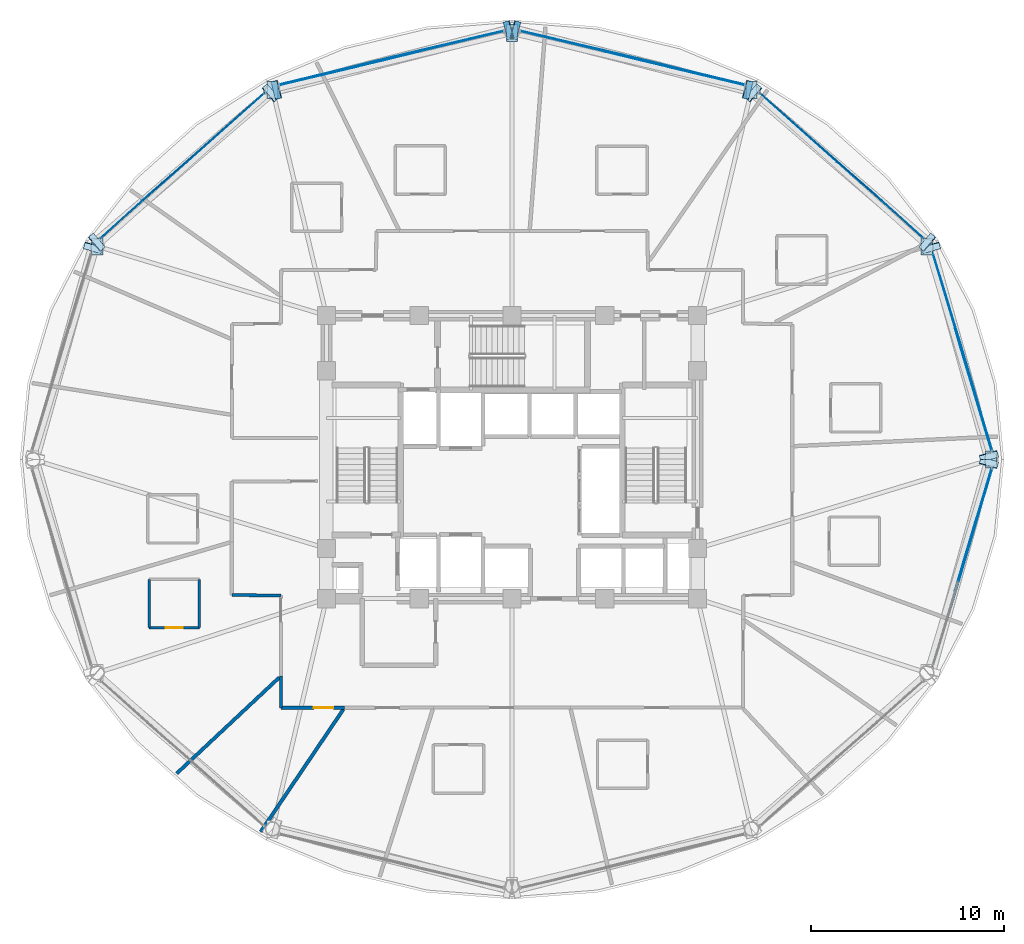
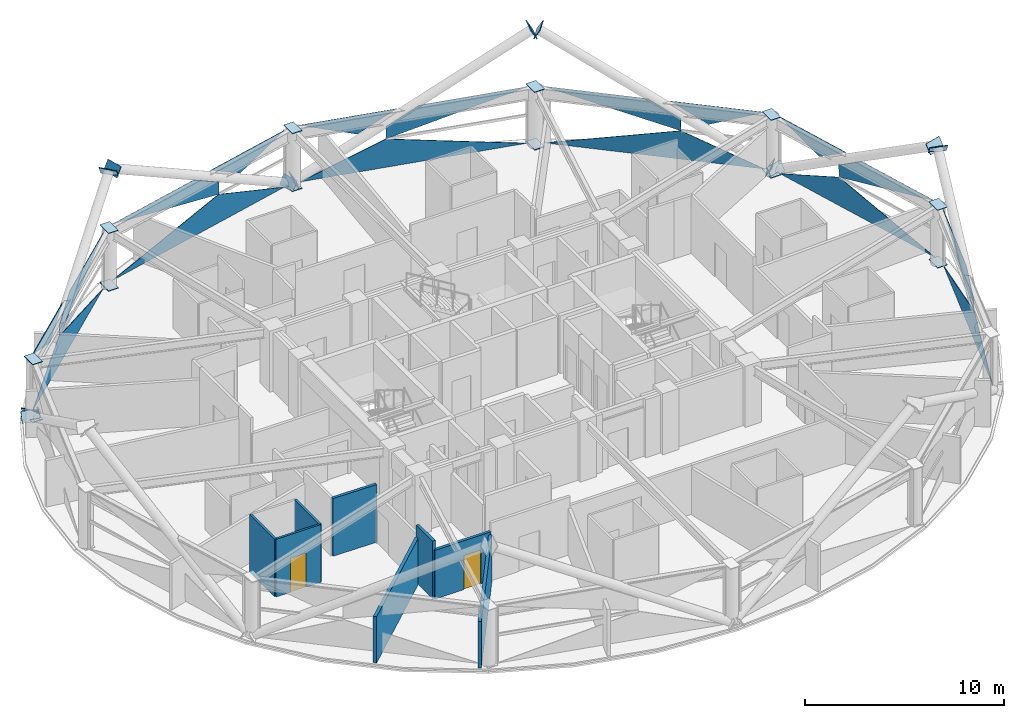
# One storey, part 21 of 29: 41 plates, 8 walls, 2 doors, 2 openings, 6 elements without a shape of their own.
"""IFC4 building model written with IfcOpenShell, lengths in metres."""

from ifc_helpers import new_model, si_unit, direction, frame, frame_2d, origin, place, context, subcontext, project, spatial, polyline, rectangle, outline, extrude, material, layer, layer_set, type_object, element, fill, aggregate, save


model = new_model("IFC4")

# Units and contexts
model_context = context("Model", 3, precision=1e-05, world=origin(), true_north=direction((0.0, 1.0)))
body_context = subcontext(model_context, "Body", "Model", "MODEL_VIEW")
ifc_project = project(units=[si_unit("LENGTHUNIT", "METRE"), si_unit("AREAUNIT", "SQUARE_METRE"), si_unit("VOLUMEUNIT", "CUBIC_METRE"), si_unit("PLANEANGLEUNIT", "RADIAN"), si_unit("MASSUNIT", "GRAM", prefix="KILO")], contexts=[model_context])

# Site, building, storey
site_placement = place(None, origin())
site = spatial("IfcSite", under=ifc_project, at=site_placement, CompositionType="ELEMENT")
building_placement = place(site_placement, origin())
building = spatial("IfcBuilding", under=site, at=building_placement, Name="Vantalir Tower", CompositionType="ELEMENT")
storey_placement = place(building_placement, frame((0.0, 0.0, 157.199951171875)))
storey = spatial("IfcBuildingStorey", under=building, at=storey_placement, Name="L39", CompositionType="ELEMENT", Elevation=157.199951171875)

# Curtain wall, plates
ifc_material_1 = material(Name="Champagne-silver PVDF aluminium and double-silver Low-E glass", Category="aluminium")
ifc_layer_1 = layer(ifc_material_1, 0.199951171875)
ifc_layer_set_1 = layer_set([ifc_layer_1], Name="Champagne-silver PVDF aluminium and double-silver Low-E glass")
curtain_wall_type = type_object("IfcCurtainWallType", Name="CW-DIAMOND-Z2", PredefinedType="USERDEFINED", material=ifc_layer_set_1)
curtain_wall_1_placement = place(storey_placement, origin())
curtain_wall_1 = element("IfcCurtainWall", 1, at=curtain_wall_1_placement, inside=storey, type_object=curtain_wall_type, Name="L39 Quilted Pyramid-Diamond Curtain Wall S01", ObjectType="UNITISED CURTAIN WALL", PredefinedType="USERDEFINED")
ifc_material_2 = material(Name="Double-silver Low-E laminated glass IGU", Category="glass")
ifc_layer_2 = layer(ifc_material_2, 0.028076171875)
ifc_layer_set_2 = layer_set([ifc_layer_2], Name="Double-silver Low-E laminated glass IGU")
plate_type_1 = type_object("IfcPlateType", Name="CWP-IGU-28", PredefinedType="CURTAIN_PANEL", material=ifc_layer_set_2)
plate_1_placement = place(storey_placement, frame((56.342041015625, 25.435546875, 0.046630859375), z_axis=(-0.957564071006, -0.287889450564, 0.013809930182), x_axis=(-0.28791660525, 0.957655484974, 2.2792638e-05)))
plate_1 = element("IfcPlate", 2, at=plate_1_placement, type_object=plate_type_1, Name="CW-L39-S01 Pyramid Diamond Facet 1L", PredefinedType="CURTAIN_PANEL", context=body_context, shape_type="SweptSolid", body=[
    extrude(outline(polyline([(0.0, 0.0), (10.711380721923996, -5.44811591673966e-18), (6.6357327467087055, -1.7263317397813793), (0.0, 0.0)])), origin(), (0.0, 0.0, -1.0), 0.028076171875),
])
plate_2_placement = place(storey_placement, frame((56.342041015625, 25.435546875, 3.5234375), z_axis=(0.957557941094, 0.287905765123, 0.013894598119), x_axis=(-0.287933561793, 0.957650387142, 8.4363e-08)))
plate_2 = element("IfcPlate", 3, at=plate_2_placement, type_object=plate_type_1, Name="CW-L39-S01 Pyramid Diamond Facet 2U", PredefinedType="CURTAIN_PANEL", context=body_context, shape_type="SweptSolid", body=[
    extrude(outline(polyline([(0.0, 0.0), (5.073767685221937, 0.0), (6.635535625945805, -0.9685999225643026), (6.635692832277836, -1.726485156677116), (0.0, 0.0)])), origin(), (0.0, 0.0, -1.0), 0.028076171875),
])
plate_3_placement = place(storey_placement, frame((54.6005859375, 31.3388671875, 3.52392578125), z_axis=(0.957560656279, 0.28790112846, 0.013803252424), x_axis=(-0.287927850537, 0.957652102809, -5.357794e-05)))
plate_3 = element("IfcPlate", 4, at=plate_3_placement, type_object=plate_type_1, Name="CW-L39-S01 Pyramid Diamond Facet 2U Infill Light", PredefinedType="CURTAIN_PANEL", context=body_context, shape_type="SweptSolid", body=[
    extrude(outline(polyline([(0.0, 0.0), (4.556737794915111, 5.421010862427522e-19), (1.8494566686042444, -1.1467386763287737), (0.0, 0.0)])), origin(), (0.0, 0.0, -1.0), 0.028076171875),
])
aggregate(curtain_wall_1, [plate_1, plate_2, plate_3])

curtain_wall_2_placement = place(storey_placement, origin())
curtain_wall_2 = element("IfcCurtainWall", 5, at=curtain_wall_2_placement, inside=storey, type_object=curtain_wall_type, Name="L39 Quilted Pyramid-Diamond Curtain Wall S02", ObjectType="UNITISED CURTAIN WALL", PredefinedType="USERDEFINED")
plate_4_placement = place(storey_placement, frame((52.787353515625, 36.431640625, 0.046630859375), z_axis=(-0.665391830285, -0.746371268071, 0.013551471789), x_axis=(-0.746440004295, 0.665452717723, -2.1539172e-05)))
plate_4 = element("IfcPlate", 6, at=plate_4_placement, type_object=plate_type_1, Name="CW-L39-S02 Pyramid Diamond Facet 1L", PredefinedType="CURTAIN_PANEL", context=body_context, shape_type="SweptSolid", body=[
    extrude(outline(polyline([(0.0, 0.0), (11.334726583109456, 5.908901840045999e-18), (4.3087562118875535, -1.7268138728330658), (0.0, 0.0)])), origin(), (0.0, 0.0, -1.0), 0.028076171875),
])
plate_5_placement = place(storey_placement, frame((48.325439453125, 40.409423828125, 3.5234375), z_axis=(0.66538138075, 0.746380639998, 0.013548372127), x_axis=(-0.746449559657, 0.665441998098, 4.5336994e-05)))
plate_5 = element("IfcPlate", 7, at=plate_5_placement, type_object=plate_type_1, Name="CW-L39-S02 Pyramid Diamond Facet 2U", PredefinedType="CURTAIN_PANEL", context=body_context, shape_type="SweptSolid", body=[
    extrude(outline(polyline([(0.0, 0.0), (5.3571487888631495, 6.288372600415926e-18), (-1.6688630063208416, -1.726645317931161), (-1.6689449745718552, -0.979019363645349), (0.0, 0.0)])), origin(), (0.0, 0.0, -1.0), 0.028076171875),
])
plate_6_placement = place(storey_placement, frame((52.808837890625, 36.45556640625, 3.52392578125), z_axis=(0.665373412358, 0.746387644673, 0.013553818878), x_axis=(-0.746456212067, 0.665434537326, 0.0)))
plate_6 = element("IfcPlate", 8, at=plate_6_placement, type_object=plate_type_1, Name="CW-L39-S02 Pyramid Diamond Facet 2U Infill Light", PredefinedType="CURTAIN_PANEL", context=body_context, shape_type="SweptSolid", body=[
    extrude(outline(polyline([(0.0, 0.0), (4.851373506019208, -6.938893903907228e-18), (2.882328018274949, -1.1551354044042437), (0.0, 0.0)])), origin(), (0.0, 0.0, -1.0), 0.028076171875),
])
aggregate(curtain_wall_2, [plate_4, plate_5, plate_6])

curtain_wall_3_placement = place(storey_placement, origin())
curtain_wall_3 = element("IfcCurtainWall", 9, at=curtain_wall_3_placement, inside=storey, type_object=curtain_wall_type, Name="L39 Quilted Pyramid-Diamond Curtain Wall S03", ObjectType="UNITISED CURTAIN WALL", PredefinedType="USERDEFINED")
plate_7_placement = place(storey_placement, frame((43.54443359375, 44.382568359375, 0.04638671875), z_axis=(-0.232261179641, -0.972555255955, 0.013820945895), x_axis=(-0.972648091392, 0.232283641034, 2.0467322e-05)))
plate_7 = element("IfcPlate", 10, at=plate_7_placement, type_object=plate_type_1, Name="CW-L39-S03 Pyramid Diamond Facet 1L", PredefinedType="CURTAIN_PANEL", context=body_context, shape_type="SweptSolid", body=[
    extrude(outline(polyline([(0.0, 0.0), (11.928312905690158, 1.7889335846010823e-18), (7.389833878033435, -1.7270644900511896), (0.0, 0.0)])), origin(), (0.0, 0.0, -1.0), 0.028076171875),
])
plate_8_placement = place(storey_placement, frame((43.54443359375, 44.382568359375, 3.523681640625), z_axis=(0.232271104003, 0.9725544686, 0.013709115614), x_axis=(-0.972645871427, 0.232292937466, -2.91501e-07)))
plate_8 = element("IfcPlate", 11, at=plate_8_placement, type_object=plate_type_1, Name="CW-L39-S03 Pyramid Diamond Facet 2U", PredefinedType="CURTAIN_PANEL", context=body_context, shape_type="SweptSolid", body=[
    extrude(outline(polyline([(0.0, 0.0), (5.666504898992574, 0.0), (7.389791754880333, -0.9671297468714191), (7.389799262717985, -1.7272125925726811), (0.0, 0.0)])), origin(), (0.0, 0.0, -1.0), 0.028076171875),
])
plate_9_placement = place(storey_placement, frame((36.909423828125, 46.0, 3.52392578125), z_axis=(0.232293337627, 0.972548817098, 0.013733304602), x_axis=(-0.972640543204, 0.232315246413, 0.0)))
plate_9 = element("IfcPlate", 12, at=plate_9_placement, type_object=plate_type_1, Name="CW-L39-S03 Pyramid Diamond Facet 2U Infill Light", PredefinedType="CURTAIN_PANEL", context=body_context, shape_type="SweptSolid", body=[
    extrude(outline(polyline([(0.0, 0.0), (5.098977922422079, 0.0), (2.060552409607671, -1.1561148882629801), (0.0, 0.0)])), origin(), (0.0, 0.0, -1.0), 0.028076171875),
])
aggregate(curtain_wall_3, [plate_7, plate_8, plate_9])

curtain_wall_4_placement = place(storey_placement, origin())
curtain_wall_4 = element("IfcCurtainWall", 13, at=curtain_wall_4_placement, inside=storey, type_object=curtain_wall_type, Name="L39 Quilted Pyramid-Diamond Curtain Wall S04", ObjectType="UNITISED CURTAIN WALL", PredefinedType="USERDEFINED")
plate_10_placement = place(storey_placement, frame((31.0576171875, 47.1533203125, 0.046630859375), z_axis=(0.232260426857, -0.972555934892, 0.013785776098), x_axis=(-0.972648298282, -0.232282774715, -2.046905e-05)))
plate_10 = element("IfcPlate", 14, at=plate_10_placement, type_object=plate_type_1, Name="CW-L39-S04 Pyramid Diamond Facet 1L", PredefinedType="CURTAIN_PANEL", context=body_context, shape_type="SweptSolid", body=[
    extrude(outline(polyline([(0.0, 0.0), (11.927306344169839, 6.830473686658678e-18), (4.538241582968908, -1.7270636544476772), (0.0, 0.0)])), origin(), (0.0, 0.0, -1.0), 0.028076171875),
])
plate_11_placement = place(storey_placement, frame((24.967041015625, 45.69873046875, 3.523681640625), z_axis=(-0.232244656623, 0.972558924471, 0.013840444449), x_axis=(-0.972652088341, -0.232266904759, 5.8723e-08)))
plate_11 = element("IfcPlate", 15, at=plate_11_placement, type_object=plate_type_1, Name="CW-L39-S04 Pyramid Diamond Facet 2U", PredefinedType="CURTAIN_PANEL", context=body_context, shape_type="SweptSolid", body=[
    extrude(outline(polyline([(0.0, 0.0), (5.6654416266090415, 3.469446951953614e-18), (-1.72358749701365, -1.7272161189073585), (-1.7235804482190773, -0.9673773811728261), (0.0, 0.0)])), origin(), (0.0, 0.0, -1.0), 0.028076171875),
])
plate_12_placement = place(storey_placement, frame((31.050048828125, 47.1845703125, 3.52392578125), z_axis=(-0.232293346877, 0.972548855824, 0.01373040538), x_axis=(-0.972640543204, -0.232315246413, 0.0)))
plate_12 = element("IfcPlate", 16, at=plate_12_placement, type_object=plate_type_1, Name="CW-L39-S04 Pyramid Diamond Facet 2U Infill Light", PredefinedType="CURTAIN_PANEL", context=body_context, shape_type="SweptSolid", body=[
    extrude(outline(polyline([(0.0, 0.0), (5.098977922422078, -3.469446951953614e-18), (3.038425512814408, -1.1563590058688482), (0.0, 0.0)])), origin(), (0.0, 0.0, -1.0), 0.028076171875),
])
aggregate(curtain_wall_4, [plate_10, plate_11, plate_12])

curtain_wall_5_placement = place(storey_placement, origin())
curtain_wall_5 = element("IfcCurtainWall", 17, at=curtain_wall_5_placement, inside=storey, type_object=curtain_wall_type, Name="L39 Quilted Pyramid-Diamond Curtain Wall S05", ObjectType="UNITISED CURTAIN WALL", PredefinedType="USERDEFINED")
plate_13_placement = place(storey_placement, frame((18.67431640625, 43.974365234375, 0.04638671875), z_axis=(0.665348598501, -0.746408916491, 0.013600435848), x_axis=(-0.74647815315, -0.665409923586, 2.1537787e-05)))
plate_13 = element("IfcPlate", 18, at=plate_13_placement, type_object=plate_type_1, Name="CW-L39-S05 Pyramid Diamond Facet 1L", PredefinedType="CURTAIN_PANEL", context=body_context, shape_type="SweptSolid", body=[
    extrude(outline(polyline([(0.0, 0.0), (11.335455547054119, -3.2065279251258794e-17), (7.026518435773332, -1.7268150188442766), (0.0, 0.0)])), origin(), (0.0, 0.0, -1.0), 0.028076171875),
])
plate_14_placement = place(storey_placement, frame((18.67431640625, 43.974365234375, 3.523681640625), z_axis=(-0.665353142307, 0.746404543028, 0.013618155906), x_axis=(-0.746474177065, -0.665414382844, -4.5601595e-05)))
plate_14 = element("IfcPlate", 19, at=plate_14_placement, type_object=plate_type_1, Name="CW-L39-S05 Pyramid Diamond Facet 2U", PredefinedType="CURTAIN_PANEL", context=body_context, shape_type="SweptSolid", body=[
    extrude(outline(polyline([(0.0, 0.0), (5.357857970447013, 1.1655173354219173e-17), (7.02645898656793, -0.9787742526239235), (7.026559843202332, -1.7266465206515351), (0.0, 0.0)])), origin(), (0.0, 0.0, -1.0), 0.028076171875),
])
plate_15_placement = place(storey_placement, frame((13.812744140625, 39.68359375, 3.52392578125), z_axis=(-0.665320047508, 0.746434547325, 0.013590472493), x_axis=(-0.746503490458, -0.665381498641, 0.0)))
plate_15 = element("IfcPlate", 20, at=plate_15_placement, type_object=plate_type_1, Name="CW-L39-S05 Pyramid Diamond Facet 2U Infill Light", PredefinedType="CURTAIN_PANEL", context=body_context, shape_type="SweptSolid", body=[
    extrude(outline(polyline([(0.0, 0.0), (4.851393298947279, 6.938893903907228e-18), (1.9688841485402433, -1.1551359791533917), (0.0, 0.0)])), origin(), (0.0, 0.0, -1.0), 0.028076171875),
])
aggregate(curtain_wall_5, [plate_13, plate_14, plate_15])

curtain_wall_6_placement = place(storey_placement, origin())
curtain_wall_6 = element("IfcCurtainWall", 21, at=curtain_wall_6_placement, inside=storey, type_object=curtain_wall_type, Name="L39 Quilted Pyramid-Diamond Curtain Wall S12", ObjectType="UNITISED CURTAIN WALL", PredefinedType="USERDEFINED")
plate_16_placement = place(storey_placement, frame((53.258056640625, 14.3056640625, 0.046875), z_axis=(-0.957570200047, 0.287870738047, 0.013774983065), x_axis=(0.287897752934, 0.957661152671, -2.2791146e-05)))
plate_16 = element("IfcPlate", 22, at=plate_16_placement, type_object=plate_type_1, Name="CW-L39-S12 Pyramid Diamond Facet 1L", PredefinedType="CURTAIN_PANEL", context=body_context, shape_type="SweptSolid", body=[
    extrude(outline(polyline([(0.0, 0.0), (10.712082131825547, -9.595189226496714e-18), (4.076115115665571, -1.7263309120844164), (0.0, 0.0)])), origin(), (0.0, 0.0, -1.0), 0.028076171875),
])
plate_17_placement = place(storey_placement, frame((54.881103515625, 19.705078125, 3.5234375), z_axis=(0.957565262051, -0.287882479701, 0.013872519374), x_axis=(0.287910187794, 0.957657414614, -2.30641e-07)))
plate_17 = element("IfcPlate", 23, at=plate_17_placement, type_object=plate_type_1, Name="CW-L39-S12 Pyramid Diamond Facet 2U", PredefinedType="CURTAIN_PANEL", context=body_context, shape_type="SweptSolid", body=[
    extrude(outline(polyline([(0.0, 0.0), (5.0740014860384335, 0.0), (-1.5619254795772641, -1.7264848558499808), (-1.562001930903838, -0.9686005964332071), (0.0, 0.0)])), origin(), (0.0, 0.0, -1.0), 0.028076171875),
])
aggregate(curtain_wall_6, [plate_16, plate_17])

# Plates
ifc_material_3 = material(Name="Steel S460", Category="steel")
ifc_layer_3 = layer(ifc_material_3, 0.0400390625)
ifc_layer_set_3 = layer_set([ifc_layer_3], Name="Steel S460")
plate_type_2 = type_object("IfcPlateType", Name="PLT-KN-Z1", PredefinedType="USERDEFINED", material=ifc_layer_set_3)
plate_18_placement = place(storey_placement, frame((53.168212890625, 36.7197265625, -0.072021484375), z_axis=(-0.654413072977, 0.56197057588, 0.50589781751), x_axis=(-0.651489527537, -0.758657627333, 0.0)))
element("IfcPlate", 24, at=plate_18_placement, inside=storey, type_object=plate_type_2, Name="Node Cap Plate MEM-DG-L39-R04L Start", ObjectType="FLANGE_PLATE", PredefinedType="USERDEFINED", context=body_context, shape_type="SweptSolid", body=[
    extrude(outline(polyline([(0.0, 0.0), (0.9499715010233203, -2.7755575615628914e-17), (0.9499212433888401, 0.620120789891323), (-5.0257634480229095e-05, 0.620120789891323), (0.0, 0.0)])), origin(), (0.0, 0.0, -1.0), 0.0400390625),
])
plate_19_placement = place(storey_placement, frame((44.176513671875, 44.44189453125, 6.87744140625), z_axis=(-0.654407725054, 0.562076824822, 0.505786686646), x_axis=(-0.651544559435, -0.758610364589, 4.253195e-05)))
element("IfcPlate", 25, at=plate_19_placement, inside=storey, type_object=plate_type_2, Name="Node Cap Plate MEM-DG-L39-R04L End", ObjectType="FLANGE_PLATE", PredefinedType="USERDEFINED", context=body_context, shape_type="SweptSolid", body=[
    extrude(outline(polyline([(0.0, 0.0), (0.9499714976645804, -2.7755575615628914e-17), (0.9500803018083984, 0.6200271033663327), (-5.0264352137775934e-05, 0.6201207847454792), (0.0, 0.0)])), origin(), (0.0, 0.0, -1.0), 0.0400390625),
])
plate_20_placement = place(storey_placement, frame((52.76513671875, 35.657470703125, -0.063232421875), z_axis=(0.227995902076, -0.818732410806, 0.526967843547), x_axis=(0.963344683352, 0.268266697631, 0.0)))
element("IfcPlate", 26, at=plate_20_placement, inside=storey, type_object=plate_type_2, Name="Node Cap Plate MEM-DG-L39-R04R Start", ObjectType="FLANGE_PLATE", PredefinedType="USERDEFINED", context=body_context, shape_type="SweptSolid", body=[
    extrude(outline(polyline([(0.0, 0.0), (0.9501097778839402, -2.7755575615628914e-17), (0.9500987993495872, 0.6199136714465998), (-1.0978534353062795e-05, 0.6199136714465998), (0.0, 0.0)])), origin(), (0.0, 0.0, -1.0), 0.0400390625),
])
plate_21_placement = place(storey_placement, frame((55.769287109375, 24.869140625, 6.87744140625), z_axis=(0.228025226252, -0.81883771381, 0.526791509646), x_axis=(0.963344683352, 0.268266697631, 0.0)))
element("IfcPlate", 27, at=plate_21_placement, inside=storey, type_object=plate_type_2, Name="Node Cap Plate MEM-DG-L39-R04R End", ObjectType="FLANGE_PLATE", PredefinedType="USERDEFINED", context=body_context, shape_type="SweptSolid", body=[
    extrude(outline(polyline([(0.0, 0.0), (0.9501097778839402, -5.551115123125783e-17), (0.9500987993495872, 0.6201211763017759), (-1.0978534353062795e-05, 0.6201211763017759), (0.0, 0.0)])), origin(), (0.0, 0.0, -1.0), 0.0400390625),
])
plate_22_placement = place(storey_placement, frame((31.04248046875, 47.6318359375, -0.078857421875), z_axis=(-0.84475888076, -0.216849089184, 0.489243197089), x_axis=(0.248609261624, -0.968603857216, -5.3107784e-05)))
element("IfcPlate", 28, at=plate_22_placement, inside=storey, type_object=plate_type_2, Name="Node Cap Plate MEM-DG-L39-R10L Start", ObjectType="FLANGE_PLATE", PredefinedType="USERDEFINED", context=body_context, shape_type="SweptSolid", body=[
    extrude(outline(polyline([(0.0, 0.0), (0.9499690170504682, 1.3877787807814457e-17), (0.9499468796907249, 0.6201038179352466), (-8.283298025679297e-05, 0.6199881210689888), (0.0, 0.0)])), origin(), (0.0, 0.0, -1.0), 0.0400390625),
])
plate_23_placement = place(storey_placement, frame((19.03076171875, 44.548095703125, 6.877685546875), z_axis=(-0.84475888076, -0.216849089184, 0.489243197089), x_axis=(0.248666971757, -0.968589043061, 5.310439e-05)))
element("IfcPlate", 29, at=plate_23_placement, inside=storey, type_object=plate_type_2, Name="Node Cap Plate MEM-DG-L39-R10L End", ObjectType="FLANGE_PLATE", PredefinedType="USERDEFINED", context=body_context, shape_type="SweptSolid", body=[
    extrude(outline(polyline([(0.0, 0.0), (0.9500297197159008, 0.0), (0.9500223903560251, 0.6199881265590803), (5.338035002591659e-05, 0.6201038160328239), (0.0, 0.0)])), origin(), (0.0, 0.0, -1.0), 0.0400390625),
])
plate_24_placement = place(storey_placement, frame((31.721435546875, 46.711669921875, -0.078857421875), z_axis=(0.84475888076, -0.216849089184, 0.489243197089), x_axis=(0.248609261624, 0.968603857216, 5.3107784e-05)))
element("IfcPlate", 30, at=plate_24_placement, inside=storey, type_object=plate_type_2, Name="Node Cap Plate MEM-DG-L39-R10R Start", ObjectType="FLANGE_PLATE", PredefinedType="USERDEFINED", context=body_context, shape_type="SweptSolid", body=[
    extrude(outline(polyline([(0.0, 0.0), (0.9499690170504682, -1.3877787807814457e-17), (0.950051850030725, 0.6199881210689888), (2.213735974318076e-05, 0.6201038179352466), (0.0, 0.0)])), origin(), (0.0, 0.0, -1.0), 0.0400390625),
])
plate_25_placement = place(storey_placement, frame((43.73291015625, 43.6279296875, 6.877685546875), z_axis=(0.84475888076, -0.216849089184, 0.489243197089), x_axis=(0.248666971757, 0.968589043061, -5.310439e-05)))
element("IfcPlate", 31, at=plate_25_placement, inside=storey, type_object=plate_type_2, Name="Node Cap Plate MEM-DG-L39-R10R End", ObjectType="FLANGE_PLATE", PredefinedType="USERDEFINED", context=body_context, shape_type="SweptSolid", body=[
    extrude(outline(polyline([(0.0, 0.0), (0.9500297197159008, 0.0), (0.9499763393658748, 0.6201038160328239), (7.329359875629748e-06, 0.6199881265590803), (0.0, 0.0)])), origin(), (0.0, 0.0, -1.0), 0.0400390625),
])
plate_26_placement = place(storey_placement, frame((9.319580078125, 35.912353515625, -0.063232421875), z_axis=(-0.227995902076, -0.818732410806, 0.526967843547), x_axis=(0.963344683352, -0.268266697631, 0.0)))
element("IfcPlate", 32, at=plate_26_placement, inside=storey, type_object=plate_type_2, Name="Node Cap Plate MEM-DG-L39-R16L Start", ObjectType="FLANGE_PLATE", PredefinedType="USERDEFINED", context=body_context, shape_type="SweptSolid", body=[
    extrude(outline(polyline([(0.0, 0.0), (0.9501097778839402, 2.7755575615628914e-17), (0.9501207564182933, 0.6199136714465998), (1.0978534353062795e-05, 0.6199136714465998), (0.0, 0.0)])), origin(), (0.0, 0.0, -1.0), 0.0400390625),
])
plate_27_placement = place(storey_placement, frame((10.45068359375, 35.9990234375, -0.072021484375), z_axis=(0.654413072977, 0.56197057588, 0.50589781751), x_axis=(-0.651489527537, 0.758657627333, 0.0)))
element("IfcPlate", 33, at=plate_27_placement, inside=storey, type_object=plate_type_2, Name="Node Cap Plate MEM-DG-L39-R16R Start", ObjectType="FLANGE_PLATE", PredefinedType="USERDEFINED", context=body_context, shape_type="SweptSolid", body=[
    extrude(outline(polyline([(0.0, 0.0), (0.9499715010233203, 2.7755575615628914e-17), (0.9500217586578006, 0.620120789891323), (5.0257634480229095e-05, 0.620120789891323), (0.0, 0.0)])), origin(), (0.0, 0.0, -1.0), 0.0400390625),
])
plate_28_placement = place(storey_placement, frame((19.4423828125, 43.72119140625, 6.87744140625), z_axis=(0.654407725054, 0.562076824822, 0.505786686646), x_axis=(-0.651544559435, 0.758610364589, -4.253195e-05)))
element("IfcPlate", 34, at=plate_28_placement, inside=storey, type_object=plate_type_2, Name="Node Cap Plate MEM-DG-L39-R16R End", ObjectType="FLANGE_PLATE", PredefinedType="USERDEFINED", context=body_context, shape_type="SweptSolid", body=[
    extrude(outline(polyline([(0.0, 0.0), (0.9499714976645804, 2.7755575615628914e-17), (0.9500217620167181, 0.6201207847454792), (-0.00010880414381804047, 0.6200271033663327), (0.0, 0.0)])), origin(), (0.0, 0.0, -1.0), 0.0400390625),
])
plate_29_placement = place(storey_placement, frame((56.6845703125, 24.8759765625, 6.87744140625), z_axis=(0.228025226252, 0.81883771381, 0.526791509646), x_axis=(-0.963344683352, 0.268266697631, 0.0)))
element("IfcPlate", 35, at=plate_29_placement, inside=storey, type_object=plate_type_2, Name="Node Cap Plate MEM-DG-L39-R34L End", ObjectType="FLANGE_PLATE", PredefinedType="USERDEFINED", context=body_context, shape_type="SweptSolid", body=[
    extrude(outline(polyline([(0.0, 0.0), (0.9501097778839402, 5.551115123125783e-17), (0.9501207564182933, 0.620121176301776), (1.0978534353062795e-05, 0.6201211763017759), (0.0, 0.0)])), origin(), (0.0, 0.0, -1.0), 0.0400390625),
])
ifc_layer_4 = layer(ifc_material_3, 0.035888671875)
ifc_layer_set_4 = layer_set([ifc_layer_4], Name="Steel S460")
plate_type_3 = type_object("IfcPlateType", Name="PLT-KN-Z2", PredefinedType="USERDEFINED", material=ifc_layer_set_4)
for number, where, z_axis, x_axis, name in (
    (36, (55.992919921875, 25.43994140625, 3.59814453125), (0.0, 0.0, 1.0), (0.0, -1.0, 0.0), "L39 Ring Column Top Cap RC01"),
    (37, (55.992919921875, 25.43994140625, 0.052978515625), (0.0, 0.0, 1.0), (0.0, -1.0, 0.0), "L39 Ring Column Base Cap RC01"),
):
    element("IfcPlate", number, at=place(storey_placement, frame(where, z_axis=z_axis, x_axis=x_axis)), inside=storey, type_object=plate_type_3, Name=name, ObjectType="FLANGE_PLATE", PredefinedType="USERDEFINED", context=body_context, shape_type="SweptSolid", body=[
        extrude(outline(polyline([(0.0, 0.0), (0.8798828125, 0.0), (0.8798828125, 0.580078125), (0.0, 0.580078125), (0.0, 0.0)])), origin(), (0.0, 0.0, -1.0), 0.035888671875),
    ])
for number, where, z_axis, x_axis, name in (
    (38, (52.673095703125, 36.47412109375, 3.59814453125), (0.0, 0.0, 1.0), (0.0, -1.0, 0.0), "L39 Ring Column Top Cap RC02"),
    (39, (52.673095703125, 36.47412109375, 0.052978515625), (0.0, 0.0, 1.0), (0.0, -1.0, 0.0), "L39 Ring Column Base Cap RC02"),
):
    element("IfcPlate", number, at=place(storey_placement, frame(where, z_axis=z_axis, x_axis=x_axis)), inside=storey, type_object=plate_type_3, Name=name, ObjectType="FLANGE_PLATE", PredefinedType="USERDEFINED", context=body_context, shape_type="SweptSolid", body=[
        extrude(outline(polyline([(0.0, 0.0), (0.880126953125, 0.0), (0.880126953125, 0.579833984375), (0.0, 0.579833984375), (0.0, 0.0)])), origin(), (0.0, 0.0, -1.0), 0.035888671875),
    ])
for number, where, z_axis, x_axis, name in (
    (40, (43.60205078125, 44.552001953125, 3.59814453125), (0.0, 0.0, 1.0), (0.0, -1.0, 0.0), "L39 Ring Column Top Cap RC03"),
    (41, (43.60205078125, 44.552001953125, 0.052978515625), (0.0, 0.0, 1.0), (0.0, -1.0, 0.0), "L39 Ring Column Base Cap RC03"),
):
    element("IfcPlate", number, at=place(storey_placement, frame(where, z_axis=z_axis, x_axis=x_axis)), inside=storey, type_object=plate_type_3, Name=name, ObjectType="FLANGE_PLATE", PredefinedType="USERDEFINED", context=body_context, shape_type="SweptSolid", body=[
        extrude(outline(polyline([(0.0, 0.0), (0.8798828125, 0.0), (0.8798828125, 0.579833984375), (0.0, 0.579833984375), (0.0, 0.0)])), origin(), (0.0, 0.0, -1.0), 0.035888671875),
    ])
for number, where, z_axis, x_axis, name in (
    (42, (31.2099609375, 47.509033203125, 3.59814453125), (0.0, 0.0, 1.0), (0.0, -1.0, 0.0), "L39 Ring Column Top Cap RC04"),
    (43, (31.2099609375, 47.509033203125, 0.052978515625), (0.0, 0.0, 1.0), (0.0, -1.0, 0.0), "L39 Ring Column Base Cap RC04"),
):
    element("IfcPlate", number, at=place(storey_placement, frame(where, z_axis=z_axis, x_axis=x_axis)), inside=storey, type_object=plate_type_3, Name=name, ObjectType="FLANGE_PLATE", PredefinedType="USERDEFINED", context=body_context, shape_type="SweptSolid", body=[
        extrude(outline(polyline([(0.0, 0.0), (0.880126953125, 0.0), (0.880126953125, 0.580078125), (0.0, 0.580078125), (0.0, 0.0)])), origin(), (0.0, 0.0, -1.0), 0.035888671875),
    ])
for number, where, z_axis, x_axis, name in (
    (44, (18.819091796875, 44.552001953125, 3.59814453125), (0.0, 0.0, 1.0), (0.0, -1.0, 0.0), "L39 Ring Column Top Cap RC05"),
    (45, (18.819091796875, 44.552001953125, 0.052978515625), (0.0, 0.0, 1.0), (0.0, -1.0, 0.0), "L39 Ring Column Base Cap RC05"),
):
    element("IfcPlate", number, at=place(storey_placement, frame(where, z_axis=z_axis, x_axis=x_axis)), inside=storey, type_object=plate_type_3, Name=name, ObjectType="FLANGE_PLATE", PredefinedType="USERDEFINED", context=body_context, shape_type="SweptSolid", body=[
        extrude(outline(polyline([(0.0, 0.0), (0.8798828125, 0.0), (0.8798828125, 0.579833984375), (0.0, 0.579833984375), (0.0, 0.0)])), origin(), (0.0, 0.0, -1.0), 0.035888671875),
    ])
for number, where, z_axis, x_axis, name in (
    (46, (9.7470703125, 36.47412109375, 3.59814453125), (0.0, 0.0, 1.0), (0.0, -1.0, 0.0), "L39 Ring Column Top Cap RC06"),
    (47, (9.7470703125, 36.47412109375, 0.052978515625), (0.0, 0.0, 1.0), (0.0, -1.0, 0.0), "L39 Ring Column Base Cap RC06"),
):
    element("IfcPlate", number, at=place(storey_placement, frame(where, z_axis=z_axis, x_axis=x_axis)), inside=storey, type_object=plate_type_3, Name=name, ObjectType="FLANGE_PLATE", PredefinedType="USERDEFINED", context=body_context, shape_type="SweptSolid", body=[
        extrude(outline(polyline([(0.0, 0.0), (0.880126953125, 0.0), (0.880126953125, 0.579833984375), (0.0, 0.579833984375), (0.0, 0.0)])), origin(), (0.0, 0.0, -1.0), 0.035888671875),
    ])

# Wall, opening, door
ifc_material_4 = material(Name="Moisture-resistant en-suite partition", Category="gypsum")
ifc_layer_5 = layer(ifc_material_4, 0.125)
ifc_layer_set_5 = layer_set([ifc_layer_5], Name="Moisture-resistant en-suite partition")
wall_type_1 = type_object("IfcWallType", Name="WL-BATH-125", PredefinedType="PARTITIONING", material=ifc_layer_set_5)
wall_1_placement = place(storey_placement, frame((12.72607421875, 16.304931640625, 0.0), z_axis=(0.0, 0.0, 1.0), x_axis=(1.0, 0.0, 0.0)))
wall_1 = element("IfcWall", 48, at=wall_1_placement, inside=storey, type_object=wall_type_1, Name="L39 En-suite 09 South Wall", PredefinedType="PARTITIONING", context=body_context, shape_type="SweptSolid", body=[
    extrude(rectangle(XDim=2.599853515625, YDim=0.125, at=frame_2d((1.2998046875, 0.0))), origin(), (0.0, 0.0, 1.0), 3.550048828125),
])
opening_1_placement = place(wall_1_placement, frame((0.85009765625, 0.0, 0.0)))
opening_1 = element("IfcOpeningElement", 49, at=opening_1_placement, cuts=wall_1, Name="Opening D-WC", PredefinedType="OPENING", context=body_context, shape_type="SweptSolid", body=[
    extrude(rectangle(XDim=0.89990234375, YDim=2.10009765625, at=frame_2d((0.449951171875, 1.050048828125))), frame((0.0, 0.072509765625, 0.0), z_axis=(0.0, -1.0, 0.0), x_axis=(1.0, 0.0, 0.0)), (0.0, 0.0, 1.0), 0.14501953125),
])
ifc_material_5 = material(Name="Moisture-resistant hardwood door", Category="wood")
door_type_1 = type_object("IfcDoorType", Name="DR-ENSUITE-900", OperationType="NOTDEFINED", PredefinedType="DOOR", material=ifc_material_5)
door_1_placement = place(opening_1_placement, origin())
door_1 = element("IfcDoor", 50, at=door_1_placement, inside=storey, type_object=door_type_1, Name="L39 En-suite 09 Door", OperationType="SINGLE_SWING_LEFT", OverallHeight=2.10009765625, OverallWidth=0.89990234375, PredefinedType="DOOR", context=body_context, shape_type="SweptSolid", body=[
    extrude(rectangle(XDim=0.89990234375, YDim=2.10009765625, at=frame_2d((0.449951171875, 1.050048828125))), frame((0.0, 0.02490234375, 0.0), z_axis=(0.0, -1.0, 0.0), x_axis=(1.0, 0.0, 0.0)), (0.0, 0.0, 1.0), 0.050048828125),
])
fill(opening_1, door_1)

# Walls
for number, where, z_axis, x_axis, name in (
    (51, (12.72607421875, 16.304931640625, 0.0), (0.0, 0.0, 1.0), (0.0, 1.0, 0.0), "L39 En-suite 09 West Wall"),
    (52, (15.325927734375, 16.304931640625, 0.0), (0.0, 0.0, 1.0), (0.0, 1.0, 0.0), "L39 En-suite 09 East Wall"),
):
    element("IfcWall", number, at=place(storey_placement, frame(where, z_axis=z_axis, x_axis=x_axis)), inside=storey, type_object=wall_type_1, Name=name, PredefinedType="PARTITIONING", context=body_context, shape_type="SweptSolid", body=[
        extrude(rectangle(XDim=2.5, YDim=0.125, at=frame_2d((1.25, 0.0))), origin(), (0.0, 0.0, 1.0), 3.550048828125),
    ])

# Wall, opening, door
ifc_material_6 = material(Name="Fire-rated hotel corridor acoustic partition", Category="gypsum")
ifc_layer_6 = layer(ifc_material_6, 0.159912109375)
ifc_layer_set_6 = layer_set([ifc_layer_6], Name="Fire-rated hotel corridor acoustic partition")
wall_type_2 = type_object("IfcWallType", Name="WL-CORR-160", PredefinedType="PARTITIONING", material=ifc_layer_set_6)
wall_2_placement = place(storey_placement, frame((22.8310546875, 12.157958984375, 0.0), z_axis=(0.0, 0.0, 1.0), x_axis=(-0.999999955626, -0.000297907189, 0.0)))
wall_2 = element("IfcWall", 53, at=wall_2_placement, inside=storey, type_object=wall_type_2, Name="L39 Corridor Partition 28", PredefinedType="PARTITIONING", context=body_context, shape_type="SweptSolid", body=[
    extrude(rectangle(XDim=3.278076171875, YDim=0.159912109375, at=frame_2d((1.63916015625, 0.0))), origin(), (0.0, 0.0, 1.0), 3.006103515625),
])
opening_2_placement = place(wall_2_placement, frame((0.580078125, 0.0, 0.0)))
opening_2 = element("IfcOpeningElement", 54, at=opening_2_placement, cuts=wall_2, Name="Opening D-GUEST", PredefinedType="OPENING", context=body_context, shape_type="SweptSolid", body=[
    extrude(rectangle(XDim=1.0, YDim=2.10009765625, at=frame_2d((0.5, 1.050048828125))), frame((0.0, 0.08984375, 0.0), z_axis=(0.0, -1.0, 0.0), x_axis=(1.0, 0.0, 0.0)), (0.0, 0.0, 1.0), 0.179931640625),
])
ifc_material_7 = material(Name="Solid-core teak veneer acoustic fire door", Category="wood")
door_type_2 = type_object("IfcDoorType", Name="DR-GUEST-ENTRY-1000", OperationType="NOTDEFINED", PredefinedType="DOOR", material=ifc_material_7)
door_2_placement = place(opening_2_placement, origin())
door_2 = element("IfcDoor", 55, at=door_2_placement, inside=storey, type_object=door_type_2, Name="L39 Executive Business Study 10 Door", OperationType="SINGLE_SWING_LEFT", OverallHeight=2.10009765625, OverallWidth=1.0, PredefinedType="DOOR", context=body_context, shape_type="SweptSolid", body=[
    extrude(rectangle(XDim=1.0, YDim=2.10009765625, at=frame_2d((0.5, 1.050048828125))), frame((0.0, 0.02490234375, 0.0), z_axis=(0.0, -1.0, 0.0), x_axis=(1.0, 0.0, 0.0)), (0.0, 0.0, 1.0), 0.050048828125),
])
fill(opening_2, door_2)

# Walls
wall_3_placement = place(storey_placement, frame((19.552978515625, 12.156982421875, 0.0), z_axis=(0.0, 0.0, 1.0), x_axis=(-0.002955506524, 0.999995632481, 0.0)))
element("IfcWall", 56, at=wall_3_placement, inside=storey, type_object=wall_type_2, Name="L39 Corridor Partition 29", PredefinedType="PARTITIONING", context=body_context, shape_type="SweptSolid", body=[
    extrude(rectangle(XDim=1.652099609375, YDim=0.159912109375, at=frame_2d((0.826171875, 0.0))), origin(), (0.0, 0.0, 1.0), 3.550048828125),
])
wall_4_placement = place(storey_placement, frame((19.534912109375, 17.9599609375, 0.0), z_axis=(0.0, 0.0, 1.0), x_axis=(-0.999920356619, 0.01262063462, 0.0)))
element("IfcWall", 57, at=wall_4_placement, inside=storey, type_object=wall_type_2, Name="L39 Corridor Partition 31", PredefinedType="PARTITIONING", context=body_context, shape_type="SweptSolid", body=[
    extrude(rectangle(XDim=2.5341796875, YDim=0.159912109375, at=frame_2d((1.26708984375, 0.0))), origin(), (0.0, 0.0, 1.0), 3.550048828125),
])
ifc_material_8 = material(Name="Twin-stud acoustic fire-rated gypsum partition", Category="gypsum")
ifc_layer_7 = layer(ifc_material_8, 0.179931640625)
ifc_layer_set_7 = layer_set([ifc_layer_7], Name="Twin-stud acoustic fire-rated gypsum partition")
wall_type_3 = type_object("IfcWallType", Name="WL-GUEST-180", PredefinedType="PARTITIONING", material=ifc_layer_set_7)
wall_5_placement = place(storey_placement, frame((19.4599609375, 13.72607421875, 0.0), z_axis=(0.0, 0.0, 1.0), x_axis=(-0.730026032341, -0.683419338404, 0.0)))
element("IfcWall", 58, at=wall_5_placement, inside=storey, type_object=wall_type_3, Name="L39 Radial Suite Partition 10", PredefinedType="PARTITIONING", context=body_context, shape_type="SweptSolid", body=[
    extrude(rectangle(XDim=7.270751953125, YDim=0.179931640625, at=frame_2d((3.63525390625, 0.0))), origin(), (0.0, 0.0, 1.0), 2.85205078125),
])
wall_6_placement = place(storey_placement, frame((22.77490234375, 12.074951171875, 0.0), z_axis=(0.0, 0.0, 1.0), x_axis=(-0.559569383681, -0.828783509034, 0.0)))
element("IfcWall", 59, at=wall_6_placement, inside=storey, type_object=wall_type_3, Name="L39 Radial Suite Partition 11", PredefinedType="PARTITIONING", context=body_context, shape_type="SweptSolid", body=[
    extrude(rectangle(XDim=7.644775390625, YDim=0.179931640625, at=frame_2d((3.822265625, 0.0))), origin(), (0.0, 0.0, 1.0), 2.85205078125),
])

save(model, "model.ifc")
